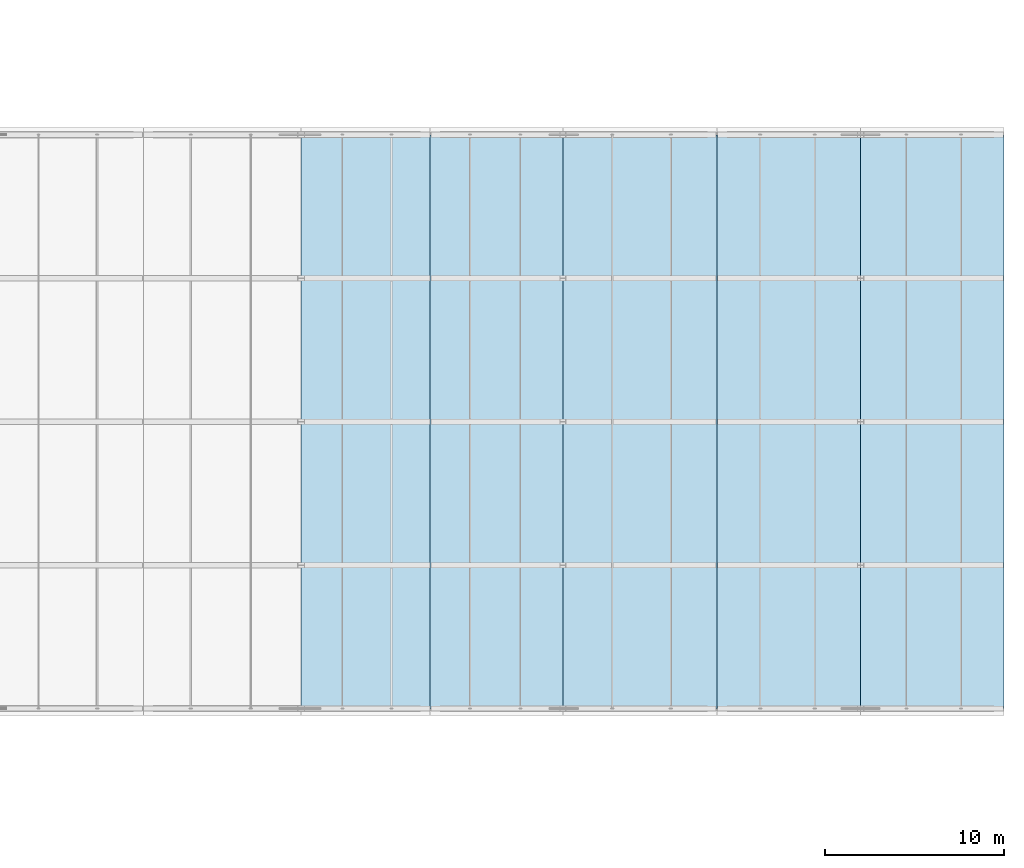
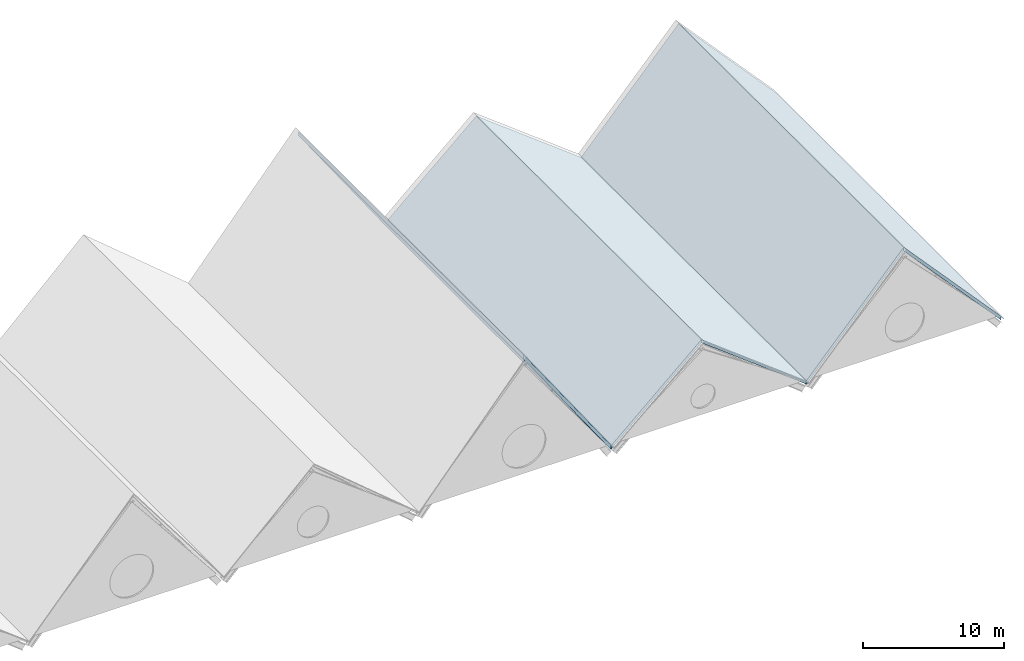
# One storey, part 33 of 64: 5 slabs.
"""IFC4 building model written with IfcOpenShell, lengths in metres."""

from ifc_helpers import new_model, si_unit, direction, frame, origin, place, context, subcontext, project, spatial, polyline, outline, extrude, material, layer, layer_set, type_object, element, save


model = new_model("IFC4")

# Units and contexts
model_context = context("Model", 3, precision=1e-05, world=origin(), true_north=direction((0.0, 1.0)))
body_context = subcontext(model_context, "Body", "Model", "MODEL_VIEW")
ifc_project = project(units=[si_unit("LENGTHUNIT", "METRE"), si_unit("AREAUNIT", "SQUARE_METRE"), si_unit("VOLUMEUNIT", "CUBIC_METRE"), si_unit("PLANEANGLEUNIT", "RADIAN"), si_unit("MASSUNIT", "GRAM", prefix="KILO")], contexts=[model_context])

# Site, building, storey
site_placement = place(None, origin())
site = spatial("IfcSite", under=ifc_project, at=site_placement, CompositionType="ELEMENT")
building_placement = place(site_placement, origin())
building = spatial("IfcBuilding", under=site, at=building_placement, Name="Zhaolan Boulevard Law Courts", CompositionType="ELEMENT")
storey_placement = place(building_placement, frame((0.0, 0.0, 20.39990234375)))
storey = spatial("IfcBuildingStorey", under=building, at=storey_placement, Name="L04", CompositionType="ELEMENT", Elevation=20.39990234375)

# Slabs
ifc_material = material(Name="Concrete C40", Category="concrete")
ifc_layer = layer(ifc_material, 0.219970703125)
ifc_layer_set = layer_set([ifc_layer])
slab_type = type_object("IfcSlabType", Name="GABLE ROOF SLAB 220", PredefinedType="ROOF", material=ifc_layer_set)
slab_1_placement = place(storey_placement, frame((124.800048828125, 94.0, 0.0), z_axis=(0.0, -1.0, 0.0), x_axis=(1.0, 0.0, 0.0)))
element("IfcSlab", 1, at=slab_1_placement, inside=storey, type_object=slab_type, Name="Trial Courtroom Gable Roof GB-T5 East Pitch", PredefinedType="ROOF", context=body_context, shape_type="SweptSolid", body=[
    extrude(outline(polyline([(0.0, 10.39990234375), (7.199951171875, 0.0), (7.199951171875, -0.386474609375), (0.0, 10.013427734375), (0.0, 10.39990234375)])), origin(), (0.0, 0.0, 1.0), 32.0),
])
slab_2_placement = place(storey_placement, frame((132.0, 94.0, 0.0), z_axis=(0.0, -1.0, 0.0), x_axis=(1.0, 0.0, 0.0)))
element("IfcSlab", 2, at=slab_2_placement, inside=storey, type_object=slab_type, Name="Trial Courtroom Gable Roof GB-T6 West Pitch", PredefinedType="ROOF", context=body_context, shape_type="SweptSolid", body=[
    extrude(outline(polyline([(0.0, 0.0), (7.39990234375, 6.60009765625), (7.39990234375, 6.30517578125), (0.0, -0.294677734375), (0.0, 0.0)])), origin(), (0.0, 0.0, 1.0), 32.0),
])
slab_3_placement = place(storey_placement, frame((139.39990234375, 94.0, 0.0), z_axis=(0.0, -1.0, 0.0), x_axis=(1.0, 0.0, 0.0)))
element("IfcSlab", 3, at=slab_3_placement, inside=storey, type_object=slab_type, Name="Trial Courtroom Gable Roof GB-T6 East Pitch", PredefinedType="ROOF", context=body_context, shape_type="SweptSolid", body=[
    extrude(outline(polyline([(0.0, 6.60009765625), (8.60009765625, 0.0), (8.60009765625, -0.27734375), (0.0, 6.32275390625), (0.0, 6.60009765625)])), origin(), (0.0, 0.0, 1.0), 32.0),
])
slab_4_placement = place(storey_placement, frame((148.0, 94.0, 0.0), z_axis=(0.0, -1.0, 0.0), x_axis=(1.0, 0.0, 0.0)))
element("IfcSlab", 4, at=slab_4_placement, inside=storey, type_object=slab_type, Name="Trial Courtroom Gable Roof GB-T7 West Pitch", PredefinedType="ROOF", context=body_context, shape_type="SweptSolid", body=[
    extrude(outline(polyline([(0.0, 0.0), (8.0, 8.800048828125), (8.0, 8.472900390625), (0.0, -0.3271484375), (0.0, 0.0)])), origin(), (0.0, 0.0, 1.0), 32.0),
])
slab_5_placement = place(storey_placement, frame((156.0, 94.0, 0.0), z_axis=(0.0, -1.0, 0.0), x_axis=(1.0, 0.0, 0.0)))
element("IfcSlab", 5, at=slab_5_placement, inside=storey, type_object=slab_type, Name="Trial Courtroom Gable Roof GB-T7 East Pitch", PredefinedType="ROOF", context=body_context, shape_type="SweptSolid", body=[
    extrude(outline(polyline([(0.0, 8.800048828125), (8.0, 0.0), (8.0, -0.3271484375), (0.0, 8.472900390625), (0.0, 8.800048828125)])), origin(), (0.0, 0.0, 1.0), 32.0),
])

save(model, "model.ifc")
